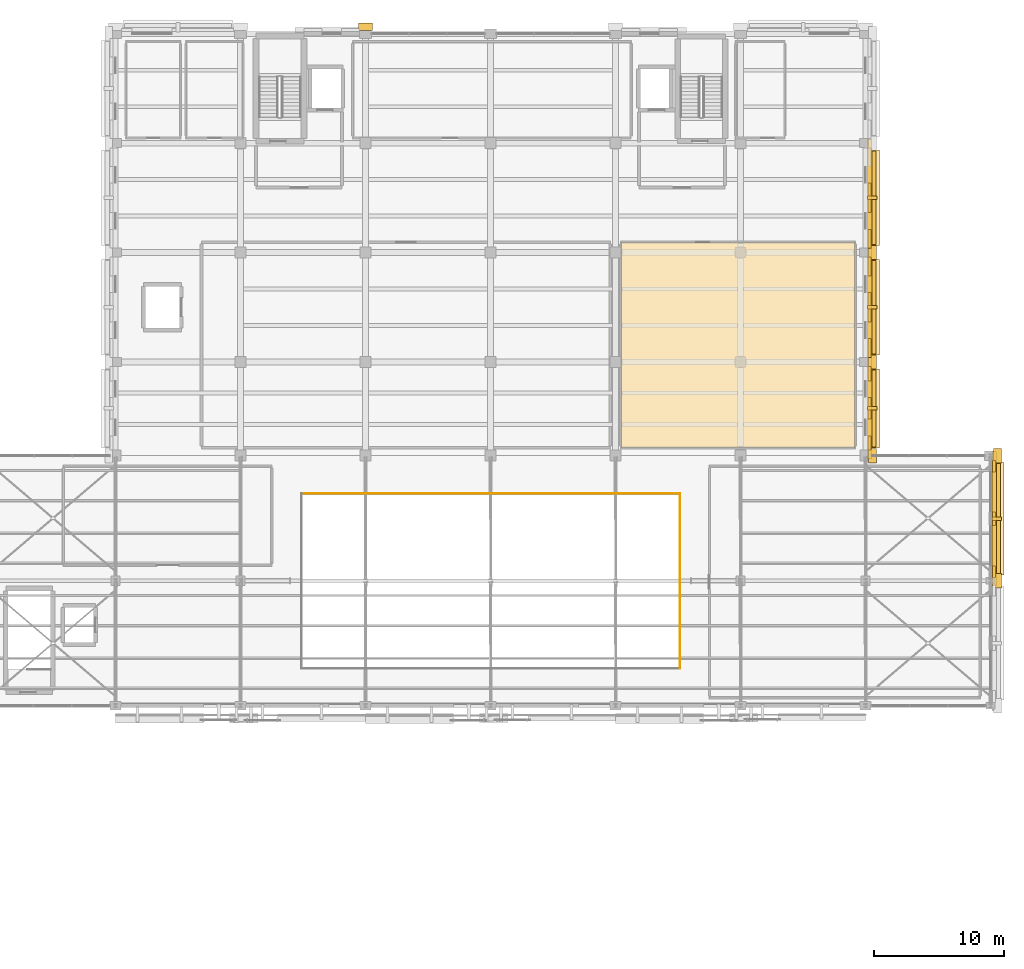
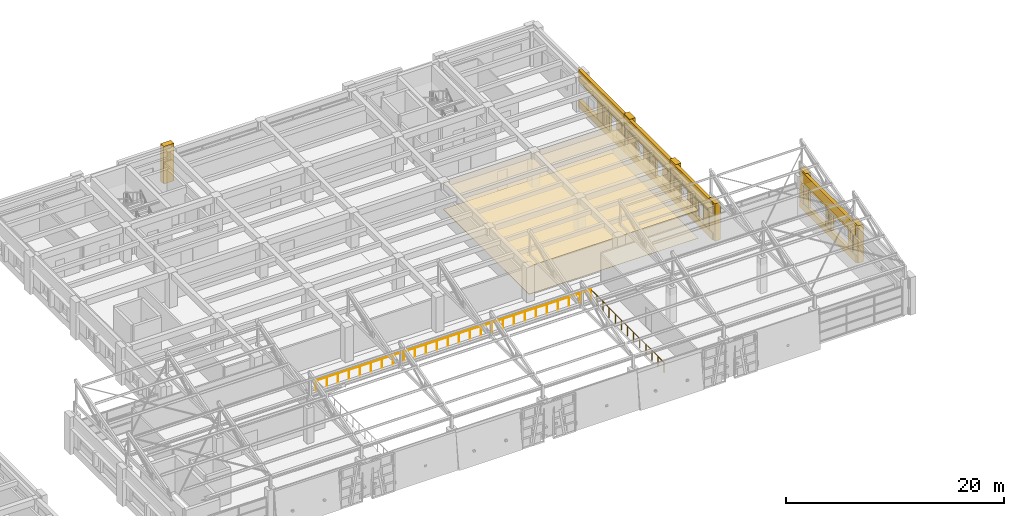
# One storey, part 57 of 58: 35 coverings, 4 shading devices, 2 railings.
"""IFC4 building model written with IfcOpenShell, lengths in metres."""

from ifc_helpers import new_model, si_unit, direction, frame, origin, origin_2d, place, context, subcontext, project, spatial, polyline, rectangle, circle, outline, extrude, material, layer, layer_set, type_object, element, save


model = new_model("IFC4")

# Units and contexts
model_context = context("Model", 3, precision=1e-05, world=origin(), true_north=direction((0.0, 1.0)))
body_context = subcontext(model_context, "Body", "Model", "MODEL_VIEW")
ifc_project = project(units=[si_unit("LENGTHUNIT", "METRE"), si_unit("AREAUNIT", "SQUARE_METRE"), si_unit("VOLUMEUNIT", "CUBIC_METRE"), si_unit("PLANEANGLEUNIT", "RADIAN"), si_unit("MASSUNIT", "GRAM", prefix="KILO")], contexts=[model_context])

# Site, building, storey
site_placement = place(None, origin())
site = spatial("IfcSite", under=ifc_project, at=site_placement, CompositionType="ELEMENT")
building_placement = place(site_placement, origin())
building = spatial("IfcBuilding", under=site, at=building_placement, Name="Bempovik Park Faculty of Sciences", CompositionType="ELEMENT")
storey_placement = place(building_placement, frame((0.0, 0.0, 18.300048828125)))
storey = spatial("IfcBuildingStorey", under=building, at=storey_placement, Name="L04", CompositionType="ELEMENT", Elevation=18.300048828125)

# Coverings
ifc_material_1 = material(Name="Acoustic mineral ceiling tile")
ifc_layer_1 = layer(ifc_material_1, 0.0400390625)
ifc_layer_set_1 = layer_set([ifc_layer_1], Name="Acoustic mineral ceiling tile")
covering_type_1 = type_object("IfcCoveringType", Name="CE-01 Acoustic Ceiling 40mm", PredefinedType="CEILING", material=ifc_layer_set_1)
covering_1_placement = place(storey_placement, frame((0.0, 0.0, 3.10986328125)))
element("IfcCovering", 1, at=covering_1_placement, inside=storey, type_object=covering_type_1, Name="L04 Chemical Sciences Write-Up and Offices Acoustic Ceiling", PredefinedType="CEILING", context=body_context, shape_type="SweptSolid", body=[
    extrude(outline(polyline([(98.830078125, 87.6298828125), (116.77001953125, 87.6298828125), (116.77001953125, 103.3701171875), (98.830078125, 103.3701171875), (98.830078125, 87.6298828125)])), origin(), (0.0, 0.0, 1.0), 0.0400390625),
])
ifc_material_2 = material(Name="Precast concrete C40/50", Category="concrete")
ifc_layer_2 = layer(ifc_material_2, 0.179931640625)
ifc_layer_set_2 = layer_set([ifc_layer_2], Name="Precast concrete C40/50")
covering_type_2 = type_object("IfcCoveringType", Name="CL-02 Classical Cornice Band 180mm", PredefinedType="CLADDING", material=ifc_layer_set_2)
covering_2_placement = place(storey_placement, frame((118.199951171875, 90.637451171875, 2.81005859375), z_axis=(0.0, 0.0, 1.0), x_axis=(1.0, 0.0, 0.0)))
element("IfcCovering", 2, at=covering_2_placement, inside=storey, type_object=covering_type_2, Name="L04 Classical Stone Solar Window Hood EW-L04-9820", PredefinedType="CLADDING", context=body_context, shape_type="SweptSolid", body=[
    extrude(rectangle(XDim=0.919921875, YDim=6.071044921875, at=origin_2d()), origin(), (0.0, 0.0, 1.0), 0.219970703125),
])
for number, where, z_axis, x_axis, name in (
    (3, (118.199951171875, 98.39990234375, 2.81005859375), (0.0, 0.0, 1.0), (1.0, 0.0, 0.0), "L04 Classical Stone Solar Window Hood EW-L04-9833"),
    (4, (118.199951171875, 106.800048828125, 2.81005859375), (0.0, 0.0, 1.0), (1.0, 0.0, 0.0), "L04 Classical Stone Solar Window Hood EW-L04-9845"),
):
    element("IfcCovering", number, at=place(storey_placement, frame(where, z_axis=z_axis, x_axis=x_axis)), inside=storey, type_object=covering_type_2, Name=name, PredefinedType="CLADDING", context=body_context, shape_type="SweptSolid", body=[
        extrude(rectangle(XDim=0.919921875, YDim=7.345947265625, at=origin_2d()), origin(), (0.0, 0.0, 1.0), 0.219970703125),
    ])
covering_3_placement = place(storey_placement, frame((127.77001953125, 82.14990234375, 2.91015625), z_axis=(0.0, 0.0, 1.0), x_axis=(1.0, 0.0, 0.0)))
element("IfcCovering", 5, at=covering_3_placement, inside=storey, type_object=covering_type_2, Name="L04 Classical Stone Solar Window Hood EW-L04-9900", PredefinedType="CLADDING", context=body_context, shape_type="SweptSolid", body=[
    extrude(rectangle(XDim=0.919921875, YDim=8.64599609375, at=origin_2d()), origin(), (0.0, 0.0, 1.0), 0.219970703125),
])
ifc_material_3 = material(Name="White reconstituted limestone precast C40/50", Category="masonry")
ifc_layer_3 = layer(ifc_material_3, 0.239990234375)
ifc_layer_set_3 = layer_set([ifc_layer_3], Name="White reconstituted limestone precast C40/50")
covering_type_3 = type_object("IfcCoveringType", Name="CL-03 Classical Fluted Limestone Pilaster 240mm", PredefinedType="CLADDING", material=ifc_layer_set_3)
covering_4_placement = place(storey_placement, frame((79.199951171875, 119.929931640625, 0.0), z_axis=(0.0, 0.0, 1.0), x_axis=(1.0, 0.0, 0.0)))
element("IfcCovering", 6, at=covering_4_placement, inside=storey, type_object=covering_type_3, Name="L04 Classical Fluted Stone Pilaster PIL-BA-L04-792-1199", PredefinedType="CLADDING", context=body_context, shape_type="SweptSolid", body=[
    extrude(rectangle(XDim=1.10009765625, YDim=0.580078125, at=origin_2d()), origin(), (0.0, 0.0, 1.0), 4.199951171875),
])
covering_5_placement = place(storey_placement, frame((117.909912109375, 90.637451171875, 2.919921875), z_axis=(0.0, 0.0, 1.0), x_axis=(1.0, 0.0, 0.0)))
element("IfcCovering", 7, at=covering_5_placement, inside=storey, type_object=covering_type_3, Name="L04 Classical Limestone Spandrel Entablature EW-L04-9820", PredefinedType="CLADDING", context=body_context, shape_type="SweptSolid", body=[
    extrude(rectangle(XDim=0.340087890625, YDim=7.77099609375, at=origin_2d()), origin(), (0.0, 0.0, 1.0), 1.280029296875),
])
covering_6_placement = place(storey_placement, frame((117.909912109375, 90.637451171875, 0.0), z_axis=(0.0, 0.0, 1.0), x_axis=(1.0, 0.0, 0.0)))
element("IfcCovering", 8, at=covering_6_placement, inside=storey, type_object=covering_type_3, Name="L04 Classical Limestone Sill Dado EW-L04-9820", PredefinedType="CLADDING", context=body_context, shape_type="SweptSolid", body=[
    extrude(rectangle(XDim=0.340087890625, YDim=7.77099609375, at=origin_2d()), origin(), (0.0, 0.0, 1.0), 0.780029296875),
])
for number, where, z_axis, x_axis, name in (
    (9, (118.1298828125, 87.0, 0.0), (0.0, 0.0, 1.0), (1.0, 0.0, 0.0), "L04 Classical Fluted Stone Pilaster PIL-BA-L04-1181-870"),
    (10, (118.1298828125, 94.199951171875, 0.0), (0.0, 0.0, 1.0), (1.0, 0.0, 0.0), "L04 Classical Fluted Stone Pilaster PIL-BA-L04-1181-942"),
):
    element("IfcCovering", number, at=place(storey_placement, frame(where, z_axis=z_axis, x_axis=x_axis)), inside=storey, type_object=covering_type_3, Name=name, PredefinedType="CLADDING", context=body_context, shape_type="SweptSolid", body=[
        extrude(rectangle(XDim=0.580078125, YDim=1.10009765625, at=origin_2d()), origin(), (0.0, 0.0, 1.0), 4.199951171875),
    ])
covering_7_placement = place(storey_placement, frame((117.89990234375, 87.973876953125, 0.0), z_axis=(0.0, 0.0, 1.0), x_axis=(1.0, 0.0, 0.0)))
element("IfcCovering", 11, at=covering_7_placement, inside=storey, type_object=covering_type_3, Name="L04 White Limestone Wall Cheek EW-L04-9820-0", PredefinedType="CLADDING", context=body_context, shape_type="SweptSolid", body=[
    extrude(rectangle(XDim=0.239990234375, YDim=1.09375, at=origin_2d()), origin(), (0.0, 0.0, 1.0), 3.080078125),
])
covering_8_placement = place(storey_placement, frame((117.89990234375, 90.637451171875, 0.0), z_axis=(0.0, 0.0, 1.0), x_axis=(1.0, 0.0, 0.0)))
element("IfcCovering", 12, at=covering_8_placement, inside=storey, type_object=covering_type_3, Name="L04 White Limestone Wall Cheek EW-L04-9820-2", PredefinedType="CLADDING", context=body_context, shape_type="SweptSolid", body=[
    extrude(rectangle(XDim=0.239990234375, YDim=1.673583984375, at=origin_2d()), origin(), (0.0, 0.0, 1.0), 3.080078125),
])
covering_9_placement = place(storey_placement, frame((117.89990234375, 93.30126953125, 0.0), z_axis=(0.0, 0.0, 1.0), x_axis=(1.0, 0.0, 0.0)))
element("IfcCovering", 13, at=covering_9_placement, inside=storey, type_object=covering_type_3, Name="L04 White Limestone Wall Cheek EW-L04-9820-4", PredefinedType="CLADDING", context=body_context, shape_type="SweptSolid", body=[
    extrude(rectangle(XDim=0.239990234375, YDim=1.09375, at=origin_2d()), origin(), (0.0, 0.0, 1.0), 3.080078125),
])
covering_10_placement = place(storey_placement, frame((118.110107421875, 90.637451171875, 0.89990234375), z_axis=(0.0, 0.0, 1.0), x_axis=(1.0, 0.0, 0.0)))
element("IfcCovering", 14, at=covering_10_placement, inside=storey, type_object=covering_type_3, Name="L04 Classical Vertical Stone Shading Fin EW-L04-9820", PredefinedType="CLADDING", context=body_context, shape_type="SweptSolid", body=[
    extrude(rectangle(XDim=0.719970703125, YDim=0.280029296875, at=origin_2d()), origin(), (0.0, 0.0, 1.0), 1.949951171875),
])
covering_11_placement = place(storey_placement, frame((117.909912109375, 98.39990234375, 2.919921875), z_axis=(0.0, 0.0, 1.0), x_axis=(1.0, 0.0, 0.0)))
element("IfcCovering", 15, at=covering_11_placement, inside=storey, type_object=covering_type_3, Name="L04 Classical Limestone Spandrel Entablature EW-L04-9833", PredefinedType="CLADDING", context=body_context, shape_type="SweptSolid", body=[
    extrude(rectangle(XDim=0.340087890625, YDim=9.0458984375, at=origin_2d()), origin(), (0.0, 0.0, 1.0), 1.280029296875),
])
covering_12_placement = place(storey_placement, frame((117.909912109375, 98.39990234375, 0.0), z_axis=(0.0, 0.0, 1.0), x_axis=(1.0, 0.0, 0.0)))
element("IfcCovering", 16, at=covering_12_placement, inside=storey, type_object=covering_type_3, Name="L04 Classical Limestone Sill Dado EW-L04-9833", PredefinedType="CLADDING", context=body_context, shape_type="SweptSolid", body=[
    extrude(rectangle(XDim=0.340087890625, YDim=9.0458984375, at=origin_2d()), origin(), (0.0, 0.0, 1.0), 0.780029296875),
])
covering_13_placement = place(storey_placement, frame((118.1298828125, 102.60009765625, 0.0), z_axis=(0.0, 0.0, 1.0), x_axis=(1.0, 0.0, 0.0)))
element("IfcCovering", 17, at=covering_13_placement, inside=storey, type_object=covering_type_3, Name="L04 Classical Fluted Stone Pilaster PIL-BA-L04-1181-1026", PredefinedType="CLADDING", context=body_context, shape_type="SweptSolid", body=[
    extrude(rectangle(XDim=0.580078125, YDim=1.10009765625, at=origin_2d()), origin(), (0.0, 0.0, 1.0), 4.199951171875),
])
covering_14_placement = place(storey_placement, frame((117.89990234375, 95.27099609375, 0.0), z_axis=(0.0, 0.0, 1.0), x_axis=(1.0, 0.0, 0.0)))
element("IfcCovering", 18, at=covering_14_placement, inside=storey, type_object=covering_type_3, Name="L04 White Limestone Wall Cheek EW-L04-9833-0", PredefinedType="CLADDING", context=body_context, shape_type="SweptSolid", body=[
    extrude(rectangle(XDim=0.239990234375, YDim=1.43798828125, at=origin_2d()), origin(), (0.0, 0.0, 1.0), 3.080078125),
])
covering_15_placement = place(storey_placement, frame((117.89990234375, 98.39990234375, 0.0), z_axis=(0.0, 0.0, 1.0), x_axis=(1.0, 0.0, 0.0)))
element("IfcCovering", 19, at=covering_15_placement, inside=storey, type_object=covering_type_3, Name="L04 White Limestone Wall Cheek EW-L04-9833-2", PredefinedType="CLADDING", context=body_context, shape_type="SweptSolid", body=[
    extrude(rectangle(XDim=0.239990234375, YDim=2.26025390625, at=origin_2d()), origin(), (0.0, 0.0, 1.0), 3.080078125),
])
covering_16_placement = place(storey_placement, frame((117.89990234375, 101.529052734375, 0.0), z_axis=(0.0, 0.0, 1.0), x_axis=(1.0, 0.0, 0.0)))
element("IfcCovering", 20, at=covering_16_placement, inside=storey, type_object=covering_type_3, Name="L04 White Limestone Wall Cheek EW-L04-9833-4", PredefinedType="CLADDING", context=body_context, shape_type="SweptSolid", body=[
    extrude(rectangle(XDim=0.239990234375, YDim=1.43798828125, at=origin_2d()), origin(), (0.0, 0.0, 1.0), 3.080078125),
])
covering_17_placement = place(storey_placement, frame((118.110107421875, 98.39990234375, 0.89990234375), z_axis=(0.0, 0.0, 1.0), x_axis=(1.0, 0.0, 0.0)))
element("IfcCovering", 21, at=covering_17_placement, inside=storey, type_object=covering_type_3, Name="L04 Classical Vertical Stone Shading Fin EW-L04-9833", PredefinedType="CLADDING", context=body_context, shape_type="SweptSolid", body=[
    extrude(rectangle(XDim=0.719970703125, YDim=0.280029296875, at=origin_2d()), origin(), (0.0, 0.0, 1.0), 1.949951171875),
])
covering_18_placement = place(storey_placement, frame((117.909912109375, 106.800048828125, 2.919921875), z_axis=(0.0, 0.0, 1.0), x_axis=(1.0, 0.0, 0.0)))
element("IfcCovering", 22, at=covering_18_placement, inside=storey, type_object=covering_type_3, Name="L04 Classical Limestone Spandrel Entablature EW-L04-9845", PredefinedType="CLADDING", context=body_context, shape_type="SweptSolid", body=[
    extrude(rectangle(XDim=0.340087890625, YDim=9.0458984375, at=origin_2d()), origin(), (0.0, 0.0, 1.0), 1.280029296875),
])
covering_19_placement = place(storey_placement, frame((117.909912109375, 106.800048828125, 0.0), z_axis=(0.0, 0.0, 1.0), x_axis=(1.0, 0.0, 0.0)))
element("IfcCovering", 23, at=covering_19_placement, inside=storey, type_object=covering_type_3, Name="L04 Classical Limestone Sill Dado EW-L04-9845", PredefinedType="CLADDING", context=body_context, shape_type="SweptSolid", body=[
    extrude(rectangle(XDim=0.340087890625, YDim=9.0458984375, at=origin_2d()), origin(), (0.0, 0.0, 1.0), 0.780029296875),
])
covering_20_placement = place(storey_placement, frame((117.89990234375, 103.6708984375, 0.0), z_axis=(0.0, 0.0, 1.0), x_axis=(1.0, 0.0, 0.0)))
element("IfcCovering", 24, at=covering_20_placement, inside=storey, type_object=covering_type_3, Name="L04 White Limestone Wall Cheek EW-L04-9845-0", PredefinedType="CLADDING", context=body_context, shape_type="SweptSolid", body=[
    extrude(rectangle(XDim=0.239990234375, YDim=1.43798828125, at=origin_2d()), origin(), (0.0, 0.0, 1.0), 3.080078125),
])
covering_21_placement = place(storey_placement, frame((117.89990234375, 106.800048828125, 0.0), z_axis=(0.0, 0.0, 1.0), x_axis=(1.0, 0.0, 0.0)))
element("IfcCovering", 25, at=covering_21_placement, inside=storey, type_object=covering_type_3, Name="L04 White Limestone Wall Cheek EW-L04-9845-2", PredefinedType="CLADDING", context=body_context, shape_type="SweptSolid", body=[
    extrude(rectangle(XDim=0.239990234375, YDim=2.26025390625, at=origin_2d()), origin(), (0.0, 0.0, 1.0), 3.080078125),
])
covering_22_placement = place(storey_placement, frame((118.110107421875, 106.800048828125, 0.89990234375), z_axis=(0.0, 0.0, 1.0), x_axis=(1.0, 0.0, 0.0)))
element("IfcCovering", 26, at=covering_22_placement, inside=storey, type_object=covering_type_3, Name="L04 Classical Vertical Stone Shading Fin EW-L04-9845", PredefinedType="CLADDING", context=body_context, shape_type="SweptSolid", body=[
    extrude(rectangle(XDim=0.719970703125, YDim=0.280029296875, at=origin_2d()), origin(), (0.0, 0.0, 1.0), 1.949951171875),
])
covering_23_placement = place(storey_placement, frame((127.72998046875, 77.39990234375, 0.0), z_axis=(0.0, 0.0, 1.0), x_axis=(1.0, 0.0, 0.0)))
element("IfcCovering", 27, at=covering_23_placement, inside=storey, type_object=covering_type_3, Name="L04 Classical Fluted Stone Pilaster PIL-BA-L04-1277-774", PredefinedType="CLADDING", context=body_context, shape_type="SweptSolid", body=[
    extrude(rectangle(XDim=0.580078125, YDim=1.10009765625, at=origin_2d()), origin(), (0.0, 0.0, 1.0), 4.199951171875),
])
covering_24_placement = place(storey_placement, frame((127.47998046875, 82.14990234375, 2.919921875), z_axis=(0.0, 0.0, 1.0), x_axis=(1.0, 0.0, 0.0)))
element("IfcCovering", 28, at=covering_24_placement, inside=storey, type_object=covering_type_3, Name="L04 Classical Limestone Spandrel Entablature EW-L04-9900", PredefinedType="CLADDING", context=body_context, shape_type="SweptSolid", body=[
    extrude(rectangle(XDim=0.340087890625, YDim=10.345947265625, at=origin_2d()), origin(), (0.0, 0.0, 1.0), 1.280029296875),
])
covering_25_placement = place(storey_placement, frame((127.47998046875, 82.14990234375, 0.0), z_axis=(0.0, 0.0, 1.0), x_axis=(1.0, 0.0, 0.0)))
element("IfcCovering", 29, at=covering_25_placement, inside=storey, type_object=covering_type_3, Name="L04 Classical Limestone Sill Dado EW-L04-9900", PredefinedType="CLADDING", context=body_context, shape_type="SweptSolid", body=[
    extrude(rectangle(XDim=0.340087890625, YDim=10.345947265625, at=origin_2d()), origin(), (0.0, 0.0, 1.0), 0.780029296875),
])
covering_26_placement = place(storey_placement, frame((127.72998046875, 87.0, 0.0), z_axis=(0.0, 0.0, 1.0), x_axis=(1.0, 0.0, 0.0)))
element("IfcCovering", 30, at=covering_26_placement, inside=storey, type_object=covering_type_3, Name="L04 Classical Fluted Stone Pilaster PIL-BA-L04-1277-870", PredefinedType="CLADDING", context=body_context, shape_type="SweptSolid", body=[
    extrude(rectangle(XDim=0.580078125, YDim=1.10009765625, at=origin_2d()), origin(), (0.0, 0.0, 1.0), 4.199951171875),
])
covering_27_placement = place(storey_placement, frame((127.469970703125, 78.096435546875, 0.0), z_axis=(0.0, 0.0, 1.0), x_axis=(1.0, 0.0, 0.0)))
element("IfcCovering", 31, at=covering_27_placement, inside=storey, type_object=covering_type_3, Name="L04 White Limestone Wall Cheek EW-L04-9900-0", PredefinedType="CLADDING", context=body_context, shape_type="SweptSolid", body=[
    extrude(rectangle(XDim=0.239990234375, YDim=0.888916015625, at=origin_2d()), origin(), (0.0, 0.0, 1.0), 3.080078125),
])
covering_28_placement = place(storey_placement, frame((127.469970703125, 82.14990234375, 0.0), z_axis=(0.0, 0.0, 1.0), x_axis=(1.0, 0.0, 0.0)))
element("IfcCovering", 32, at=covering_28_placement, inside=storey, type_object=covering_type_3, Name="L04 White Limestone Wall Cheek EW-L04-9900-2", PredefinedType="CLADDING", context=body_context, shape_type="SweptSolid", body=[
    extrude(rectangle(XDim=0.239990234375, YDim=1.05810546875, at=origin_2d()), origin(), (0.0, 0.0, 1.0), 3.080078125),
])
covering_29_placement = place(storey_placement, frame((127.469970703125, 86.20361328125, 0.0), z_axis=(0.0, 0.0, 1.0), x_axis=(1.0, 0.0, 0.0)))
element("IfcCovering", 33, at=covering_29_placement, inside=storey, type_object=covering_type_3, Name="L04 White Limestone Wall Cheek EW-L04-9900-4", PredefinedType="CLADDING", context=body_context, shape_type="SweptSolid", body=[
    extrude(rectangle(XDim=0.239990234375, YDim=0.888916015625, at=origin_2d()), origin(), (0.0, 0.0, 1.0), 3.080078125),
])
covering_30_placement = place(storey_placement, frame((127.679931640625, 82.14990234375, 1.300048828125), z_axis=(0.0, 0.0, 1.0), x_axis=(1.0, 0.0, 0.0)))
element("IfcCovering", 34, at=covering_30_placement, inside=storey, type_object=covering_type_3, Name="L04 Classical Vertical Stone Shading Fin EW-L04-9900", PredefinedType="CLADDING", context=body_context, shape_type="SweptSolid", body=[
    extrude(rectangle(XDim=0.719970703125, YDim=0.280029296875, at=origin_2d()), origin(), (0.0, 0.0, 1.0), 1.64990234375),
])
ifc_material_4 = material(Name="Polished mineral terrazzo flooring")
ifc_layer_4 = layer(ifc_material_4, 0.030029296875)
ifc_layer_set_4 = layer_set([ifc_layer_4], Name="Polished mineral terrazzo flooring")
covering_type_4 = type_object("IfcCoveringType", Name="FL-01 Terrazzo Flooring 30mm", PredefinedType="FLOORING", material=ifc_layer_set_4)
covering_31_placement = place(storey_placement, origin())
element("IfcCovering", 35, at=covering_31_placement, inside=storey, type_object=covering_type_4, Name="L04 Chemical Sciences Write-Up and Offices Terrazzo Flooring", PredefinedType="FLOORING", context=body_context, shape_type="SweptSolid", body=[
    extrude(outline(polyline([(98.830078125, 87.6298828125), (116.77001953125, 87.6298828125), (116.77001953125, 103.3701171875), (98.830078125, 103.3701171875), (98.830078125, 87.6298828125)])), origin(), (0.0, 0.0, 1.0), 0.030029296875),
])

# Railings
ifc_material_5 = material(Name="Anodised architectural bronze")
railing_type = type_object("IfcRailingType", Name="GR-01 Guardrail 1120mm", PredefinedType="GUARDRAIL", material=ifc_material_5)
railing_1_placement = place(storey_placement, frame((74.27490234375, 84.10009765625, 0.0)))
element("IfcRailing", 36, at=railing_1_placement, inside=storey, type_object=railing_type, Name="L04 Atrium Void North Guardrail", PredefinedType="GUARDRAIL", context=body_context, shape_type="SweptSolid", body=[
    extrude(circle(Radius=0.02392578125, at=origin_2d()), frame((0.0, 0.0, 1.09619140625), z_axis=(1.0, 0.0, 0.0), x_axis=(0.0, 1.0, 0.0)), (0.0, 0.0, 1.0), 29.0751953125),
    extrude(circle(Radius=0.02099609375, at=origin_2d()), origin(), (0.0, 0.0, 1.0), 1.072021484375),
    extrude(circle(Radius=0.02099609375, at=origin_2d()), frame((1.1630859375, 0.0, 0.0)), (0.0, 0.0, 1.0), 1.072021484375),
    extrude(circle(Radius=0.02099609375, at=origin_2d()), frame((2.325927734375, 0.0, 0.0)), (0.0, 0.0, 1.0), 1.072021484375),
    extrude(circle(Radius=0.02099609375, at=origin_2d()), frame((3.489013671875, 0.0, 0.0)), (0.0, 0.0, 1.0), 1.072021484375),
    extrude(circle(Radius=0.02099609375, at=origin_2d()), frame((4.652099609375, 0.0, 0.0)), (0.0, 0.0, 1.0), 1.072021484375),
    extrude(circle(Radius=0.02099609375, at=origin_2d()), frame((5.81494140625, 0.0, 0.0)), (0.0, 0.0, 1.0), 1.072021484375),
    extrude(circle(Radius=0.02099609375, at=origin_2d()), frame((6.97802734375, 0.0, 0.0)), (0.0, 0.0, 1.0), 1.072021484375),
    extrude(circle(Radius=0.02099609375, at=origin_2d()), frame((8.14111328125, 0.0, 0.0)), (0.0, 0.0, 1.0), 1.072021484375),
    extrude(circle(Radius=0.02099609375, at=origin_2d()), frame((9.303955078125, 0.0, 0.0)), (0.0, 0.0, 1.0), 1.072021484375),
    extrude(circle(Radius=0.02099609375, at=origin_2d()), frame((10.467041015625, 0.0, 0.0)), (0.0, 0.0, 1.0), 1.072021484375),
    extrude(circle(Radius=0.02099609375, at=origin_2d()), frame((11.630126953125, 0.0, 0.0)), (0.0, 0.0, 1.0), 1.072021484375),
    extrude(circle(Radius=0.02099609375, at=origin_2d()), frame((12.79296875, 0.0, 0.0)), (0.0, 0.0, 1.0), 1.072021484375),
    extrude(circle(Radius=0.02099609375, at=origin_2d()), frame((13.9560546875, 0.0, 0.0)), (0.0, 0.0, 1.0), 1.072021484375),
    extrude(circle(Radius=0.02099609375, at=origin_2d()), frame((15.119140625, 0.0, 0.0)), (0.0, 0.0, 1.0), 1.072021484375),
    extrude(circle(Radius=0.02099609375, at=origin_2d()), frame((16.2822265625, 0.0, 0.0)), (0.0, 0.0, 1.0), 1.072021484375),
    extrude(circle(Radius=0.02099609375, at=origin_2d()), frame((17.445068359375, 0.0, 0.0)), (0.0, 0.0, 1.0), 1.072021484375),
    extrude(circle(Radius=0.02099609375, at=origin_2d()), frame((18.608154296875, 0.0, 0.0)), (0.0, 0.0, 1.0), 1.072021484375),
    extrude(circle(Radius=0.02099609375, at=origin_2d()), frame((19.771240234375, 0.0, 0.0)), (0.0, 0.0, 1.0), 1.072021484375),
    extrude(circle(Radius=0.02099609375, at=origin_2d()), frame((20.93408203125, 0.0, 0.0)), (0.0, 0.0, 1.0), 1.072021484375),
    extrude(circle(Radius=0.02099609375, at=origin_2d()), frame((22.09716796875, 0.0, 0.0)), (0.0, 0.0, 1.0), 1.072021484375),
    extrude(circle(Radius=0.02099609375, at=origin_2d()), frame((23.26025390625, 0.0, 0.0)), (0.0, 0.0, 1.0), 1.072021484375),
    extrude(circle(Radius=0.02099609375, at=origin_2d()), frame((24.423095703125, 0.0, 0.0)), (0.0, 0.0, 1.0), 1.072021484375),
    extrude(circle(Radius=0.02099609375, at=origin_2d()), frame((25.586181640625, 0.0, 0.0)), (0.0, 0.0, 1.0), 1.072021484375),
    extrude(circle(Radius=0.02099609375, at=origin_2d()), frame((26.749267578125, 0.0, 0.0)), (0.0, 0.0, 1.0), 1.072021484375),
    extrude(circle(Radius=0.02099609375, at=origin_2d()), frame((27.912109375, 0.0, 0.0)), (0.0, 0.0, 1.0), 1.072021484375),
    extrude(circle(Radius=0.02099609375, at=origin_2d()), frame((29.0751953125, 0.0, 0.0)), (0.0, 0.0, 1.0), 1.072021484375),
])
railing_2_placement = place(storey_placement, frame((103.35009765625, 70.64990234375, 0.0)))
element("IfcRailing", 37, at=railing_2_placement, inside=storey, type_object=railing_type, Name="L04 Atrium Void East Guardrail", PredefinedType="GUARDRAIL", context=body_context, shape_type="SweptSolid", body=[
    extrude(circle(Radius=0.02392578125, at=origin_2d()), frame((0.0, 0.0, 1.09619140625), z_axis=(0.0, 1.0, 0.0), x_axis=(-1.0, 0.0, 0.0)), (0.0, 0.0, 1.0), 13.4501953125),
    extrude(circle(Radius=0.02099609375, at=origin_2d()), origin(), (0.0, 0.0, 1.0), 1.072021484375),
    extrude(circle(Radius=0.02099609375, at=origin_2d()), frame((0.0, 1.120849609375, 0.0)), (0.0, 0.0, 1.0), 1.072021484375),
    extrude(circle(Radius=0.02099609375, at=origin_2d()), frame((0.0, 2.24169921875, 0.0)), (0.0, 0.0, 1.0), 1.072021484375),
    extrude(circle(Radius=0.02099609375, at=origin_2d()), frame((0.0, 3.362548828125, 0.0)), (0.0, 0.0, 1.0), 1.072021484375),
    extrude(circle(Radius=0.02099609375, at=origin_2d()), frame((0.0, 4.4833984375, 0.0)), (0.0, 0.0, 1.0), 1.072021484375),
    extrude(circle(Radius=0.02099609375, at=origin_2d()), frame((0.0, 5.604248046875, 0.0)), (0.0, 0.0, 1.0), 1.072021484375),
    extrude(circle(Radius=0.02099609375, at=origin_2d()), frame((0.0, 6.72509765625, 0.0)), (0.0, 0.0, 1.0), 1.072021484375),
    extrude(circle(Radius=0.02099609375, at=origin_2d()), frame((0.0, 7.845947265625, 0.0)), (0.0, 0.0, 1.0), 1.072021484375),
    extrude(circle(Radius=0.02099609375, at=origin_2d()), frame((0.0, 8.966796875, 0.0)), (0.0, 0.0, 1.0), 1.072021484375),
    extrude(circle(Radius=0.02099609375, at=origin_2d()), frame((0.0, 10.087646484375, 0.0)), (0.0, 0.0, 1.0), 1.072021484375),
    extrude(circle(Radius=0.02099609375, at=origin_2d()), frame((0.0, 11.20849609375, 0.0)), (0.0, 0.0, 1.0), 1.072021484375),
    extrude(circle(Radius=0.02099609375, at=origin_2d()), frame((0.0, 12.329345703125, 0.0)), (0.0, 0.0, 1.0), 1.072021484375),
    extrude(circle(Radius=0.02099609375, at=origin_2d()), frame((0.0, 13.4501953125, 0.0)), (0.0, 0.0, 1.0), 1.072021484375),
])

# Shading devices
ifc_layer_5 = layer(ifc_material_5, 0.06005859375)
ifc_layer_set_5 = layer_set([ifc_layer_5], Name="Anodised architectural bronze")
shading_device_type = type_object("IfcShadingDeviceType", Name="SH-01 Bronze Brise-Soleil Fin", PredefinedType="USERDEFINED", material=ifc_layer_set_5)
shading_device_1_placement = place(storey_placement, frame((118.080078125, 90.637451171875, 2.75), z_axis=(0.0, 0.0, 1.0), x_axis=(1.0, 0.0, 0.0)))
element("IfcShadingDevice", 38, at=shading_device_1_placement, inside=storey, type_object=shading_device_type, Name="L04 Equatorial Bronze Brise-Soleil EW-L04-9820", ObjectType="BRISE SOLEIL", PredefinedType="USERDEFINED", context=body_context, shape_type="SweptSolid", body=[
    extrude(rectangle(XDim=0.64990234375, YDim=5.9208984375, at=origin_2d()), origin(), (0.0, 0.0, 1.0), 0.06005859375),
])
for number, where, z_axis, x_axis, name in (
    (39, (118.080078125, 98.39990234375, 2.75), (0.0, 0.0, 1.0), (1.0, 0.0, 0.0), "L04 Equatorial Bronze Brise-Soleil EW-L04-9833"),
    (40, (118.080078125, 106.800048828125, 2.75), (0.0, 0.0, 1.0), (1.0, 0.0, 0.0), "L04 Equatorial Bronze Brise-Soleil EW-L04-9845"),
):
    element("IfcShadingDevice", number, at=place(storey_placement, frame(where, z_axis=z_axis, x_axis=x_axis)), inside=storey, type_object=shading_device_type, Name=name, ObjectType="BRISE SOLEIL", PredefinedType="USERDEFINED", context=body_context, shape_type="SweptSolid", body=[
        extrude(rectangle(XDim=0.64990234375, YDim=7.196044921875, at=origin_2d()), origin(), (0.0, 0.0, 1.0), 0.06005859375),
    ])
shading_device_2_placement = place(storey_placement, frame((127.64990234375, 82.14990234375, 2.849853515625), z_axis=(0.0, 0.0, 1.0), x_axis=(1.0, 0.0, 0.0)))
element("IfcShadingDevice", 41, at=shading_device_2_placement, inside=storey, type_object=shading_device_type, Name="L04 Equatorial Bronze Brise-Soleil EW-L04-9900", ObjectType="BRISE SOLEIL", PredefinedType="USERDEFINED", context=body_context, shape_type="SweptSolid", body=[
    extrude(rectangle(XDim=0.64990234375, YDim=8.49609375, at=origin_2d()), origin(), (0.0, 0.0, 1.0), 0.06005859375),
])

save(model, "model.ifc")
